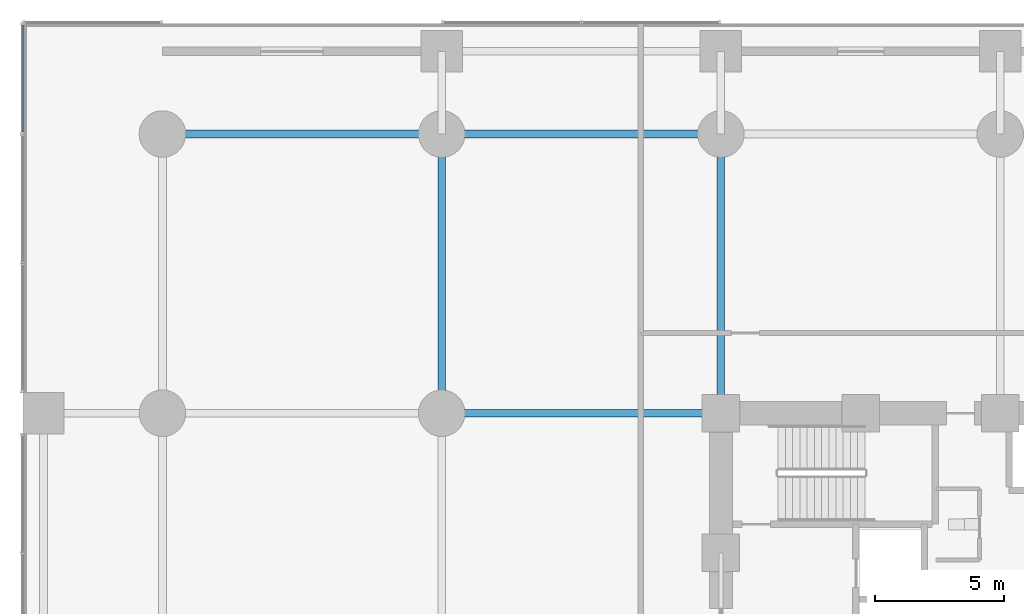
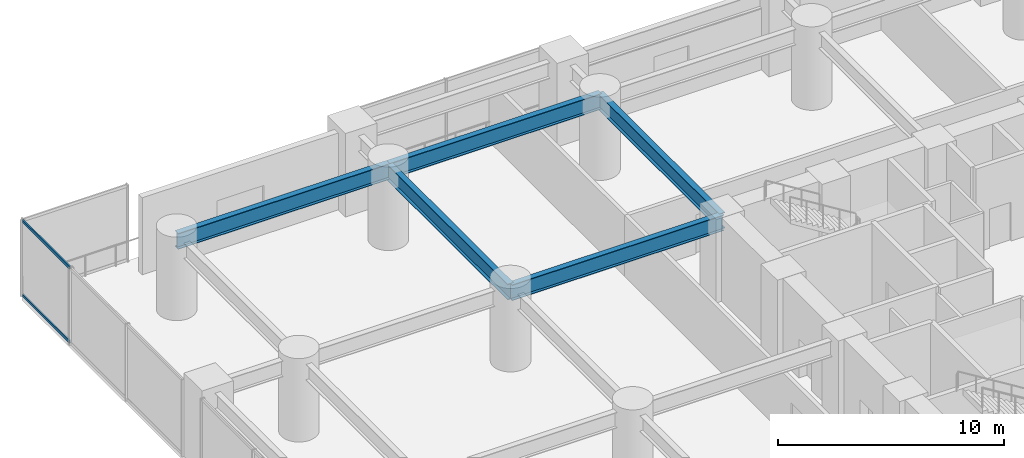
# One storey, part 13 of 35: 5 beams, 2 members, 1 element without a shape of its own.
"""IFC4 building model written with IfcOpenShell, lengths in metres."""

import ifcopenshell
import ifcopenshell.guid

model = None  # the IFC model being written
_history = None  # IfcOwnerHistory: only IFC2X3 demands one
_inside = {}  # id of a spatial element -> (the spatial element, [elements in it])
_under = {}  # id of a project, library or spatial element -> (it, [spatial elements below it])
_declared = {}  # id of a project -> (the project, [libraries it declares])
_typed = {}  # id of a type object -> (the type object, [elements of that type])
_made_of = {}  # id of a material, layer set ... -> (it, [elements and type objects made of it])


def new_model(schema):
    """Start an empty IFC model of exactly this schema.

    Asked for "IFC4X3", IfcOpenShell would pick the latest addendum, in which some entities
    have other attributes; the version numbers below select the first issue.
    IFC2X3 requires an IfcOwnerHistory on every rooted entity: one is made here for all.
    """
    global model, _history
    if schema == "IFC4X3":
        model = ifcopenshell.file(schema_version=(4, 3, 0, 0))
    else:
        model = ifcopenshell.file(schema=schema)
    _inside.clear()
    _under.clear()
    _declared.clear()
    _typed.clear()
    _made_of.clear()
    _history = None
    if model.schema == "IFC2X3":
        org = make("IfcOrganization", Name="unknown")
        user = make(
            "IfcPersonAndOrganization",
            ThePerson=make("IfcPerson", FamilyName="unknown"),
            TheOrganization=org,
        )
        app = make(
            "IfcApplication",
            ApplicationDeveloper=org,
            Version="unknown",
            ApplicationFullName="unknown",
            ApplicationIdentifier="unknown",
        )
        _history = make(
            "IfcOwnerHistory",
            OwningUser=user,
            OwningApplication=app,
            ChangeAction="ADDED",
            CreationDate=0,
        )
    return model


def make(cls, **values):
    """One entity of the class cls with the attributes given. An attribute that is None is left unset."""
    return model.create_entity(
        cls, **{name: value for name, value in values.items() if value is not None}
    )


def rooted(cls, **values):
    """An entity with a GlobalId (a new one), such as an element, a storey or a relation."""
    return make(cls, GlobalId=ifcopenshell.guid.new(), OwnerHistory=_history, **values)


def si_unit(unit_type, name, prefix=None):
    """IfcSIUnit, for example si_unit("LENGTHUNIT", "METRE", prefix="MILLI")."""
    return make("IfcSIUnit", UnitType=unit_type, Prefix=prefix, Name=name)


def assignment(units):
    """IfcUnitAssignment: the units of a project."""
    return None if units is None else make("IfcUnitAssignment", Units=units)


def point(xyz):
    """IfcCartesianPoint."""
    return None if xyz is None else make("IfcCartesianPoint", Coordinates=xyz)


def direction(xyz):
    """IfcDirection."""
    return None if xyz is None else make("IfcDirection", DirectionRatios=xyz)


def frame(location, z_axis=None, x_axis=None):
    """IfcAxis2Placement3D, a coordinate frame: its origin and axes. An axis left out is left unset."""
    return make(
        "IfcAxis2Placement3D",
        Location=point(location),
        Axis=direction(z_axis),
        RefDirection=direction(x_axis),
    )


def frame_2d(location, x_axis=None):
    """IfcAxis2Placement2D, a coordinate frame in the plane: its origin and x axis."""
    return make(
        "IfcAxis2Placement2D", Location=point(location), RefDirection=direction(x_axis)
    )


def origin():
    """The frame at (0, 0, 0) with its axes left unset."""
    return frame((0.0, 0.0, 0.0))


def origin_2d():
    """The frame at (0, 0) in the plane with its x axis left unset."""
    return frame_2d((0.0, 0.0))


def place(relative_to, where):
    """IfcLocalPlacement: puts the frame where relative to a parent placement (None: the world)."""
    return make(
        "IfcLocalPlacement", PlacementRelTo=relative_to, RelativePlacement=where
    )


def context(
    kind, dimensions, precision=None, world=None, true_north=None, identifier=None
):
    """IfcGeometricRepresentationContext, for example the 3D "Model" context."""
    return make(
        "IfcGeometricRepresentationContext",
        ContextIdentifier=identifier,
        ContextType=kind,
        CoordinateSpaceDimension=dimensions,
        Precision=precision,
        WorldCoordinateSystem=world,
        TrueNorth=true_north,
    )


def subcontext(parent, identifier, kind, view, scale=None):
    """IfcGeometricRepresentationSubContext, for example "Body" below "Model"."""
    return make(
        "IfcGeometricRepresentationSubContext",
        ContextIdentifier=identifier,
        ContextType=kind,
        ParentContext=parent,
        TargetScale=scale,
        TargetView=view,
    )


def project(units=None, contexts=None):
    """IfcProject with its units and contexts."""
    return rooted(
        "IfcProject",
        Name="project",
        RepresentationContexts=contexts,
        UnitsInContext=assignment(units),
    )


def spatial(cls, under=None, at=None, **own):
    """A site, building, storey or space (cls), placed at a placement, below another one or the project."""
    s = rooted(cls, ObjectPlacement=at, **own)
    if under is not None:
        _under.setdefault(under.id(), (under, []))[1].append(s)
    return s


def profile(cls, at=None, kind="AREA", **sizes):
    """A parametric profile (cls). Its sizes go by their IFC names, for example OverallWidth=200.0."""
    return make(cls, ProfileType=kind, Position=at, **sizes)


def hollow_rectangle(**sizes):
    """IfcRectangleHollowProfileDef."""
    return profile("IfcRectangleHollowProfileDef", **sizes)


def i_section(**sizes):
    """IfcIShapeProfileDef."""
    return profile("IfcIShapeProfileDef", **sizes)


def extrude(swept, where, along, depth):
    """IfcExtrudedAreaSolid: the profile swept, set in the frame where, extruded along a direction by depth."""
    return make(
        "IfcExtrudedAreaSolid",
        SweptArea=swept,
        Position=where,
        ExtrudedDirection=direction(along),
        Depth=depth,
    )


def shape(context_of_items, identifier, shape_type, items):
    """IfcShapeRepresentation: the items that make up one representation, for example the "Body"."""
    return make(
        "IfcShapeRepresentation",
        ContextOfItems=context_of_items,
        RepresentationIdentifier=identifier,
        RepresentationType=shape_type,
        Items=items,
    )


def material(Name=None, Category=None):
    """IfcMaterial."""
    return make("IfcMaterial", Name=Name, Category=Category)


def layer(
    of_material, thickness, ventilated=None, Name=None, Category=None, Priority=None
):
    """IfcMaterialLayer: one layer of a wall or slab, of a material (None: an air gap)."""
    return make(
        "IfcMaterialLayer",
        Material=of_material,
        LayerThickness=thickness,
        IsVentilated=ventilated,
        Name=Name,
        Category=Category,
        Priority=Priority,
    )


def layer_set(layers, Name=None):
    """IfcMaterialLayerSet."""
    return make("IfcMaterialLayerSet", MaterialLayers=layers, LayerSetName=Name)


def material_profile(
    of_material, cross_section, Name=None, Category=None, Priority=None
):
    """IfcMaterialProfile: a cross section and its material."""
    return make(
        "IfcMaterialProfile",
        Name=Name,
        Material=of_material,
        Profile=cross_section,
        Priority=Priority,
        Category=Category,
    )


def profile_set(profiles, Name=None, composite=None):
    """IfcMaterialProfileSet."""
    return make(
        "IfcMaterialProfileSet",
        Name=Name,
        MaterialProfiles=profiles,
        CompositeProfile=composite,
    )


def made_of(thing, what):
    """Note that an element or type object is made of a material, layer set ...; save() writes the relation."""
    if what is not None:
        _made_of.setdefault(what.id(), (what, []))[1].append(thing)
    return thing


def type_object(cls, material=None, **own):
    """A type object (cls), such as IfcWallType, which elements share."""
    return made_of(rooted(cls, **own), material)


def element(
    cls,
    number,
    at=None,
    inside=None,
    cuts=None,
    type_object=None,
    material=None,
    context=None,
    identifier="Body",
    shape_type=None,
    held_by="IfcProductDefinitionShape",
    body=None,
    shapes=None,
    **own,
):
    """One element of the class cls, such as IfcWall. Its Tag is "e" and its number.

    at: its placement. inside: the storey or other place that contains it. cuts: it is an
    opening in that element (IfcRelVoidsElement). A single representation is given by context,
    identifier, shape_type and body (its items); several are given by shapes. held_by: the class
    of the entity that holds the representations. save() writes the other relations.
    """
    e = rooted(cls, Tag="e%d" % number, ObjectPlacement=at, **own)
    if body is not None:
        shapes = [shape(context, identifier, shape_type, body)]
    if shapes is not None:
        e.Representation = make(held_by, Representations=shapes)
    if inside is not None:
        _inside.setdefault(inside.id(), (inside, []))[1].append(e)
    if cuts is not None:
        rooted(
            "IfcRelVoidsElement", RelatingBuildingElement=cuts, RelatedOpeningElement=e
        )
    if type_object is not None:
        _typed.setdefault(type_object.id(), (type_object, []))[1].append(e)
    return made_of(e, material)


def aggregate(whole, parts):
    """IfcRelAggregates: a whole, such as a stair, and the parts it consists of."""
    return rooted("IfcRelAggregates", RelatingObject=whole, RelatedObjects=parts)


def save(model, path):
    """Write the relations noted so far, then the file.

    IfcRelAggregates (storeys below a building ...), IfcRelContainedInSpatialStructure (elements
    in a storey), IfcRelDefinesByType, IfcRelAssociatesMaterial and IfcRelDeclares: one each for
    every whole, place, type object, material and project.
    """
    for whole, parts in _under.values():
        aggregate(whole, parts)
    for where, things in _inside.values():
        rooted(
            "IfcRelContainedInSpatialStructure",
            RelatedElements=things,
            RelatingStructure=where,
        )
    for kind, things in _typed.values():
        rooted("IfcRelDefinesByType", RelatedObjects=things, RelatingType=kind)
    for what, things in _made_of.values():
        rooted("IfcRelAssociatesMaterial", RelatedObjects=things, RelatingMaterial=what)
    for by, libraries in _declared.values():
        rooted("IfcRelDeclares", RelatingContext=by, RelatedDefinitions=libraries)
    model.write(path)


model = new_model("IFC4")

# Units and contexts
model_context = context("Model", 3, precision=1e-05, world=origin(), true_north=direction((0.0, 1.0)))
body_context = subcontext(model_context, "Body", "Model", "MODEL_VIEW")
ifc_project = project(units=[si_unit("LENGTHUNIT", "METRE"), si_unit("AREAUNIT", "SQUARE_METRE"), si_unit("VOLUMEUNIT", "CUBIC_METRE"), si_unit("PLANEANGLEUNIT", "RADIAN"), si_unit("MASSUNIT", "GRAM", prefix="KILO")], contexts=[model_context])

# Site, building, storey
site_placement = place(None, origin())
site = spatial("IfcSite", under=ifc_project, at=site_placement, CompositionType="ELEMENT")
building_placement = place(site_placement, origin())
building = spatial("IfcBuilding", under=site, at=building_placement, Name="Surkhivell Harbour Commons", CompositionType="ELEMENT")
storey_placement = place(building_placement, frame((0.0, 0.0, 13.5)))
storey = spatial("IfcBuildingStorey", under=building, at=storey_placement, Name="L03", CompositionType="ELEMENT", Elevation=13.5)

# Beams
ifc_material_1 = material(Name="Steel S460", Category="steel")
ifc_material_profile_1 = material_profile(ifc_material_1, i_section(OverallWidth=0.2939453125, OverallDepth=0.85107421875, WebThickness=0.01611328125, FlangeThickness=0.02685546875, at=origin_2d()), Name="UB838x292x226")
ifc_profile_set_1 = profile_set([ifc_material_profile_1], Name="Steel S460")
beam_type = type_object("IfcBeamType", Name="BM-SPN-838", PredefinedType="SPANDREL", material=ifc_profile_set_1)
beam_placement = place(storey_placement, frame((-32.39990234375, 21.60009765625, 3.724609375), z_axis=(1.0, 0.0, 0.0), x_axis=(0.0, 1.0, 0.0)))
element("IfcBeam", 1, at=beam_placement, inside=storey, type_object=beam_type, Name="L03 Framing Beam (-32.4,21.6)", PredefinedType="SPANDREL", context=body_context, shape_type="SweptSolid", body=[
    extrude(i_section(OverallWidth=0.2939453125, OverallDepth=0.85107421875, WebThickness=0.01611328125, FlangeThickness=0.02685546875, at=origin_2d()), origin(), (0.0, 0.0, 1.0), 10.7998046875),
])
for number, where, z_axis, x_axis, name in (
    (2, (-21.60009765625, 10.800048828125, 3.724609375), (0.0, 1.0, 0.0), (-1.0, 0.0, 0.0), "L03 Framing Beam (-21.6,10.8)"),
    (3, (-21.60009765625, 10.800048828125, 3.724609375), (1.0, 0.0, 0.0), (0.0, 1.0, 0.0), "L03 Framing Beam (-21.6,10.8)"),
    (4, (-21.60009765625, 21.60009765625, 3.724609375), (1.0, 0.0, 0.0), (0.0, 1.0, 0.0), "L03 Framing Beam (-21.6,21.6)"),
    (5, (-10.800048828125, 10.800048828125, 3.724609375), (0.0, 1.0, 0.0), (-1.0, 0.0, 0.0), "L03 Framing Beam (-10.8,10.8)"),
):
    element("IfcBeam", number, at=place(storey_placement, frame(where, z_axis=z_axis, x_axis=x_axis)), inside=storey, type_object=beam_type, Name=name, PredefinedType="SPANDREL", context=body_context, shape_type="SweptSolid", body=[
        extrude(i_section(OverallWidth=0.2939453125, OverallDepth=0.85107421875, WebThickness=0.01611328125, FlangeThickness=0.02685546875, at=origin_2d()), origin(), (0.0, 0.0, 1.0), 10.800048828125),
    ])

# Curtain wall, members
ifc_material_2 = material(Name="Anodised pale-metal aluminium and insulated glazing", Category="aluminium")
ifc_layer = layer(ifc_material_2, 0.239990234375)
ifc_layer_set = layer_set([ifc_layer], Name="Anodised pale-metal aluminium and insulated glazing")
curtain_wall_type = type_object("IfcCurtainWallType", Name="CW-SYS-POD", PredefinedType="NOTDEFINED", material=ifc_layer_set)
curtain_wall_placement = place(storey_placement, origin())
curtain_wall = element("IfcCurtainWall", 6, at=curtain_wall_placement, inside=storey, type_object=curtain_wall_type, Name="L03 Curtain Wall CW-L03-W6", PredefinedType="NOTDEFINED")
ifc_material_3 = material(Name="Anodised pale-metal aluminium alloy 6063-T6", Category="aluminium")
ifc_material_profile_2 = material_profile(ifc_material_3, hollow_rectangle(XDim=0.074951171875, YDim=0.14990234375, WallThickness=0.00341796875, at=origin_2d()), Name="ALU-TRAN-75x150")
ifc_profile_set_2 = profile_set([ifc_material_profile_2], Name="Anodised pale-metal aluminium alloy 6063-T6")
member_type = type_object("IfcMemberType", Name="CWT-150", PredefinedType="USERDEFINED", material=ifc_profile_set_2)
member_1_placement = place(storey_placement, frame((-37.800048828125, 21.675048828125, 0.074951171875), z_axis=(0.0, 1.0, 0.0), x_axis=(-1.0, 0.0, 0.0)))
member_1 = element("IfcMember", 7, at=member_1_placement, type_object=member_type, Name="CW-POD transom 1.1", ObjectType="TRANSOM", PredefinedType="USERDEFINED", context=body_context, shape_type="SweptSolid", body=[
    extrude(hollow_rectangle(XDim=0.074951171875, YDim=0.14990234375, WallThickness=0.00341796875, at=origin_2d()), origin(), (0.0, 0.0, 1.0), 4.14990234375),
])
member_2_placement = place(storey_placement, frame((-37.800048828125, 21.675048828125, 4.074951171875), z_axis=(0.0, 1.0, 0.0), x_axis=(-1.0, 0.0, 0.0)))
member_2 = element("IfcMember", 8, at=member_2_placement, type_object=member_type, Name="CW-POD transom 1.2", ObjectType="TRANSOM", PredefinedType="USERDEFINED", context=body_context, shape_type="SweptSolid", body=[
    extrude(hollow_rectangle(XDim=0.074951171875, YDim=0.14990234375, WallThickness=0.00341796875, at=origin_2d()), origin(), (0.0, 0.0, 1.0), 4.14990234375),
])
aggregate(curtain_wall, [member_1, member_2])

save(model, "model.ifc")
